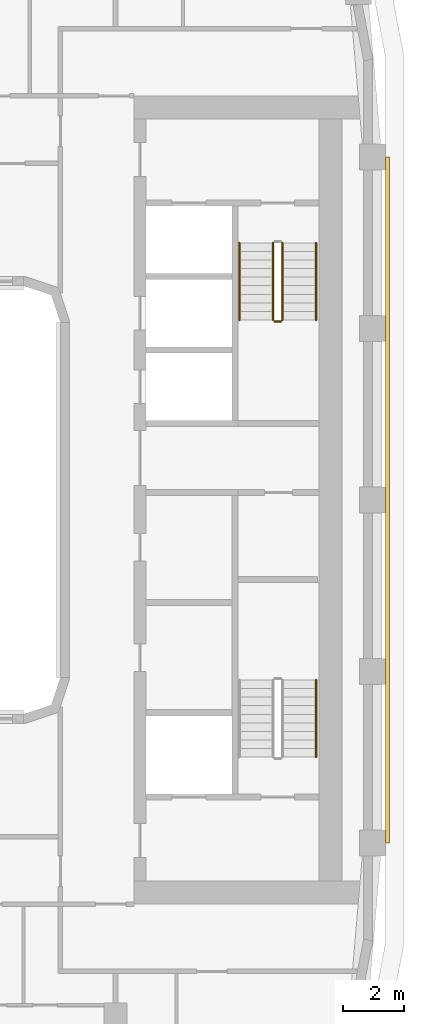
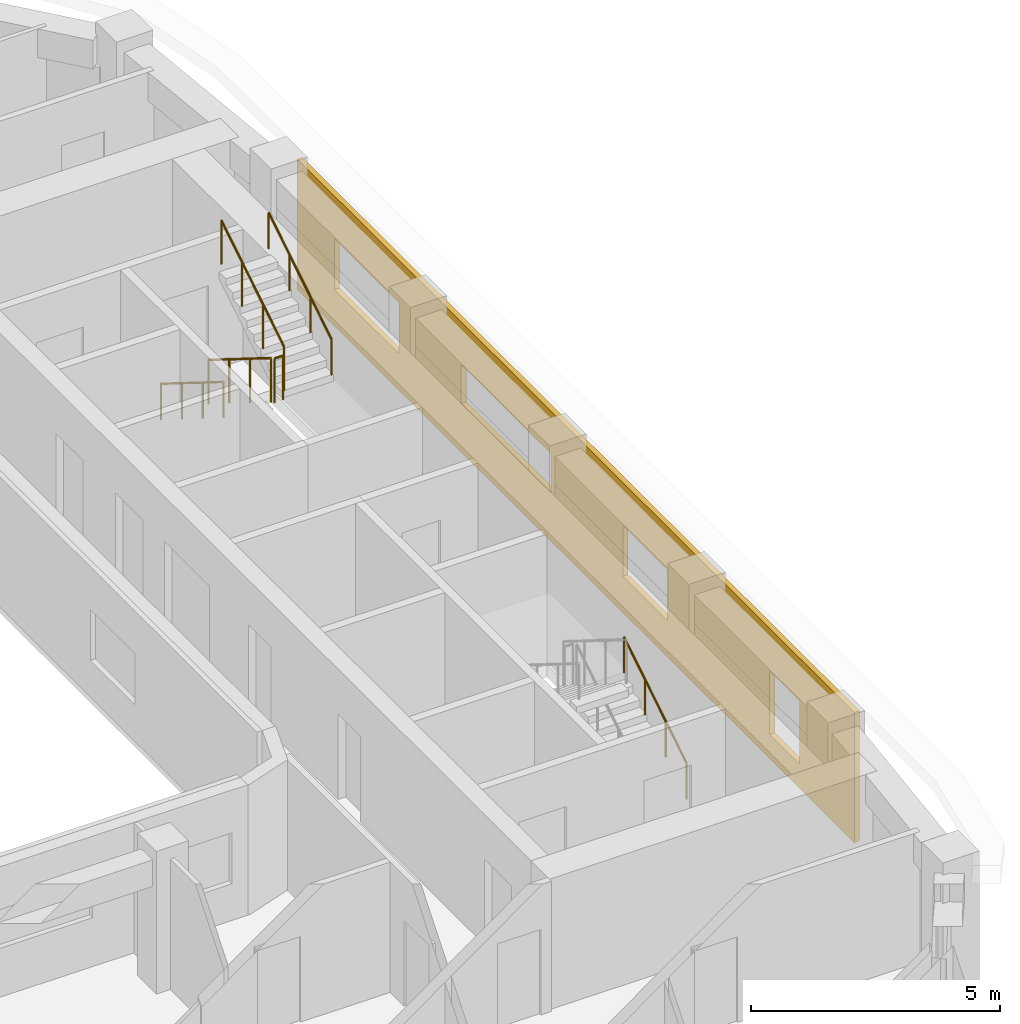
# One storey, part 18 of 21: 6 railings, 1 covering.
"""IFC4 building model written with IfcOpenShell, lengths in metres."""

from ifc_helpers import new_model, si_unit, direction, frame, origin, origin_2d, place, context, subcontext, project, spatial, polyline, circle, outline, extrude, material, layer, layer_set, type_object, element, save


model = new_model("IFC4")

# Units and contexts
model_context = context("Model", 3, precision=1e-05, world=origin(), true_north=direction((0.0, 1.0)))
body_context = subcontext(model_context, "Body", "Model", "MODEL_VIEW")
ifc_project = project(units=[si_unit("LENGTHUNIT", "METRE"), si_unit("AREAUNIT", "SQUARE_METRE"), si_unit("VOLUMEUNIT", "CUBIC_METRE"), si_unit("PLANEANGLEUNIT", "RADIAN"), si_unit("MASSUNIT", "GRAM", prefix="KILO")], contexts=[model_context])

# Site, building, storey
site_placement = place(None, origin())
site = spatial("IfcSite", under=ifc_project, at=site_placement, CompositionType="ELEMENT")
building_placement = place(site_placement, origin())
building = spatial("IfcBuilding", under=site, at=building_placement, Name="Kiln Ring Residences", CompositionType="ELEMENT")
storey_placement = place(building_placement, frame((0.0, 0.0, 216.89990234375)))
storey = spatial("IfcBuildingStorey", under=building, at=storey_placement, Name="L56", CompositionType="ELEMENT", Elevation=216.89990234375)

# Railings
ifc_material_1 = material(Name="Stainless steel", Category="steel")
railing_type_1 = type_object("IfcRailingType", Name="CORE-STAIR-GUARD", PredefinedType="GUARDRAIL", material=ifc_material_1)
railing_1_placement = place(storey_placement, frame((21.949951171875, 8.39990234375, 0.175048828125)))
element("IfcRailing", 1, at=railing_1_placement, inside=storey, type_object=railing_type_1, Name="L56 E-STN stair guard 1", PredefinedType="GUARDRAIL", context=body_context, shape_type="SweptSolid", body=[
    extrude(circle(Radius=0.02392578125, at=origin_2d()), frame((0.0, 0.0, 1.076171875), z_axis=(0.0, -0.848007534815, 0.529984170421), x_axis=(1.0, 0.0, 0.0)), (0.0, 0.0, 1.0), 2.9716796875),
    extrude(circle(Radius=0.02099609375, at=origin_2d()), origin(), (0.0, 0.0, 1.0), 1.052001953125),
    extrude(circle(Radius=0.02099609375, at=origin_2d()), frame((0.0, -0.840087890625, 0.52490234375)), (0.0, 0.0, 1.0), 1.052001953125),
    extrude(circle(Radius=0.02099609375, at=origin_2d()), frame((0.0, -1.679931640625, 1.050048828125)), (0.0, 0.0, 1.0), 1.052001953125),
    extrude(circle(Radius=0.02099609375, at=origin_2d()), frame((0.0, -2.52001953125, 1.574951171875)), (0.0, 0.0, 1.0), 1.052001953125),
])
railing_2_placement = place(storey_placement, frame((22.0, 5.830078125, 1.75)))
element("IfcRailing", 2, at=railing_2_placement, inside=storey, type_object=railing_type_1, Name="L56 E-STN stair guard 2", PredefinedType="GUARDRAIL", context=body_context, shape_type="SweptSolid", body=[
    extrude(circle(Radius=0.02392578125, at=origin_2d()), frame((0.0, 0.0, 1.076171875), z_axis=(1.0, 0.0, 0.0), x_axis=(0.0, 1.0, 0.0)), (0.0, 0.0, 1.0), 0.199951171875),
    extrude(circle(Radius=0.02099609375, at=origin_2d()), origin(), (0.0, 0.0, 1.0), 1.052001953125),
    extrude(circle(Radius=0.02099609375, at=origin_2d()), frame((0.199951171875, 0.0, 0.0)), (0.0, 0.0, 1.0), 1.052001953125),
])
railing_3_placement = place(storey_placement, frame((22.25, 5.8798828125, 1.925048828125)))
element("IfcRailing", 3, at=railing_3_placement, inside=storey, type_object=railing_type_1, Name="L56 E-STN stair guard 3", PredefinedType="GUARDRAIL", context=body_context, shape_type="SweptSolid", body=[
    extrude(circle(Radius=0.02392578125, at=origin_2d()), frame((0.0, 0.0, 1.076171875), z_axis=(0.0, 0.848007534815, 0.529984170421), x_axis=(-1.0, 0.0, 0.0)), (0.0, 0.0, 1.0), 2.9716796875),
    extrude(circle(Radius=0.02099609375, at=origin_2d()), origin(), (0.0, 0.0, 1.0), 1.052001953125),
    extrude(circle(Radius=0.02099609375, at=origin_2d()), frame((0.0, 0.840087890625, 0.52490234375)), (0.0, 0.0, 1.0), 1.052001953125),
    extrude(circle(Radius=0.02099609375, at=origin_2d()), frame((0.0, 1.679931640625, 1.050048828125)), (0.0, 0.0, 1.0), 1.052001953125),
    extrude(circle(Radius=0.02099609375, at=origin_2d()), frame((0.0, 2.52001953125, 1.574951171875)), (0.0, 0.0, 1.0), 1.052001953125),
])
ifc_material_2 = material(Name="Stainless steel", Category="steel")
railing_type_2 = type_object("IfcRailingType", Name="CORE-STAIR-HANDRAIL", PredefinedType="HANDRAIL", material=ifc_material_2)
railing_4_placement = place(storey_placement, frame((20.85009765625, 8.39990234375, 0.175048828125)))
element("IfcRailing", 4, at=railing_4_placement, inside=storey, type_object=railing_type_2, Name="L56 E-STN stair handrail 1", PredefinedType="HANDRAIL", context=body_context, shape_type="SweptSolid", body=[
    extrude(circle(Radius=0.02392578125, at=origin_2d()), frame((0.0, 0.0, 0.8759765625), z_axis=(0.0, -0.848007534815, 0.529984170421), x_axis=(1.0, 0.0, 0.0)), (0.0, 0.0, 1.0), 2.9716796875),
    extrude(circle(Radius=0.02099609375, at=origin_2d()), origin(), (0.0, 0.0, 1.0), 0.851806640625),
    extrude(circle(Radius=0.02099609375, at=origin_2d()), frame((0.0, -0.840087890625, 0.52490234375)), (0.0, 0.0, 1.0), 0.851806640625),
    extrude(circle(Radius=0.02099609375, at=origin_2d()), frame((0.0, -1.679931640625, 1.050048828125)), (0.0, 0.0, 1.0), 0.851806640625),
    extrude(circle(Radius=0.02099609375, at=origin_2d()), frame((0.0, -2.52001953125, 1.574951171875)), (0.0, 0.0, 1.0), 0.851806640625),
])
for number, where, name in (
    (5, (23.35009765625, 5.8798828125, 1.925048828125), "L56 E-STN stair handrail 2"),
    (6, (23.35009765625, -8.39990234375, 0.175048828125), "L56 E-STS stair handrail 1"),
):
    element("IfcRailing", number, at=place(storey_placement, frame(where)), inside=storey, type_object=railing_type_2, Name=name, PredefinedType="HANDRAIL", context=body_context, shape_type="SweptSolid", body=[
        extrude(circle(Radius=0.02392578125, at=origin_2d()), frame((0.0, 0.0, 0.8759765625), z_axis=(0.0, 0.848007534815, 0.529984170421), x_axis=(-1.0, 0.0, 0.0)), (0.0, 0.0, 1.0), 2.9716796875),
        extrude(circle(Radius=0.02099609375, at=origin_2d()), origin(), (0.0, 0.0, 1.0), 0.851806640625),
        extrude(circle(Radius=0.02099609375, at=origin_2d()), frame((0.0, 0.840087890625, 0.52490234375)), (0.0, 0.0, 1.0), 0.851806640625),
        extrude(circle(Radius=0.02099609375, at=origin_2d()), frame((0.0, 1.679931640625, 1.050048828125)), (0.0, 0.0, 1.0), 0.851806640625),
        extrude(circle(Radius=0.02099609375, at=origin_2d()), frame((0.0, 2.52001953125, 1.574951171875)), (0.0, 0.0, 1.0), 0.851806640625),
    ])

# Covering
ifc_material_3 = material(Name="Brick masonry, dark clay brick", Category="masonry")
ifc_layer = layer(ifc_material_3, 0.1201171875)
ifc_layer_set = layer_set([ifc_layer], Name="RAINSCREEN PANEL 120")
covering_type = type_object("IfcCoveringType", Name="RAINSCREEN PANEL 120", PredefinedType="CLADDING", material=ifc_layer_set)
covering_placement = place(storey_placement, frame((25.68505859375, -11.199951171875, 0.0), z_axis=(0.0, 0.0, 1.0), x_axis=(0.0, 1.0, 0.0)))
element("IfcCovering", 7, at=covering_placement, inside=storey, type_object=covering_type, Name="RAINSCREEN L56", PredefinedType="CLADDING", context=body_context, shape_type="SweptSolid", body=[
    extrude(outline(polyline([(0.0, 0.0), (22.39990234375, 0.0), (22.39990234375, 3.2001953125), (0.0, 3.2001953125), (0.0, 0.0)]), holes=[polyline([(3.39990234375, 0.60009765625), (3.39990234375, 2.150146484375), (2.199951171875, 2.150146484375), (2.199951171875, 0.60009765625), (3.39990234375, 0.60009765625)]), polyline([(9.300048828125, 0.900146484375), (9.300048828125, 2.150146484375), (7.5, 2.150146484375), (7.5, 0.900146484375), (9.300048828125, 0.900146484375)]), polyline([(20.89990234375, 0.900146484375), (20.89990234375, 2.150146484375), (18.300048828125, 2.150146484375), (18.300048828125, 0.900146484375), (20.89990234375, 0.900146484375)]), polyline([(15.800048828125, 1.2001953125), (15.800048828125, 2.150146484375), (12.199951171875, 2.150146484375), (12.199951171875, 1.2001953125), (15.800048828125, 1.2001953125)])]), frame((0.0, 0.06005859375, 0.0), z_axis=(0.0, -1.0, 0.0), x_axis=(1.0, 0.0, 0.0)), (0.0, 0.0, 1.0), 0.1201171875),
])

save(model, "model.ifc")
